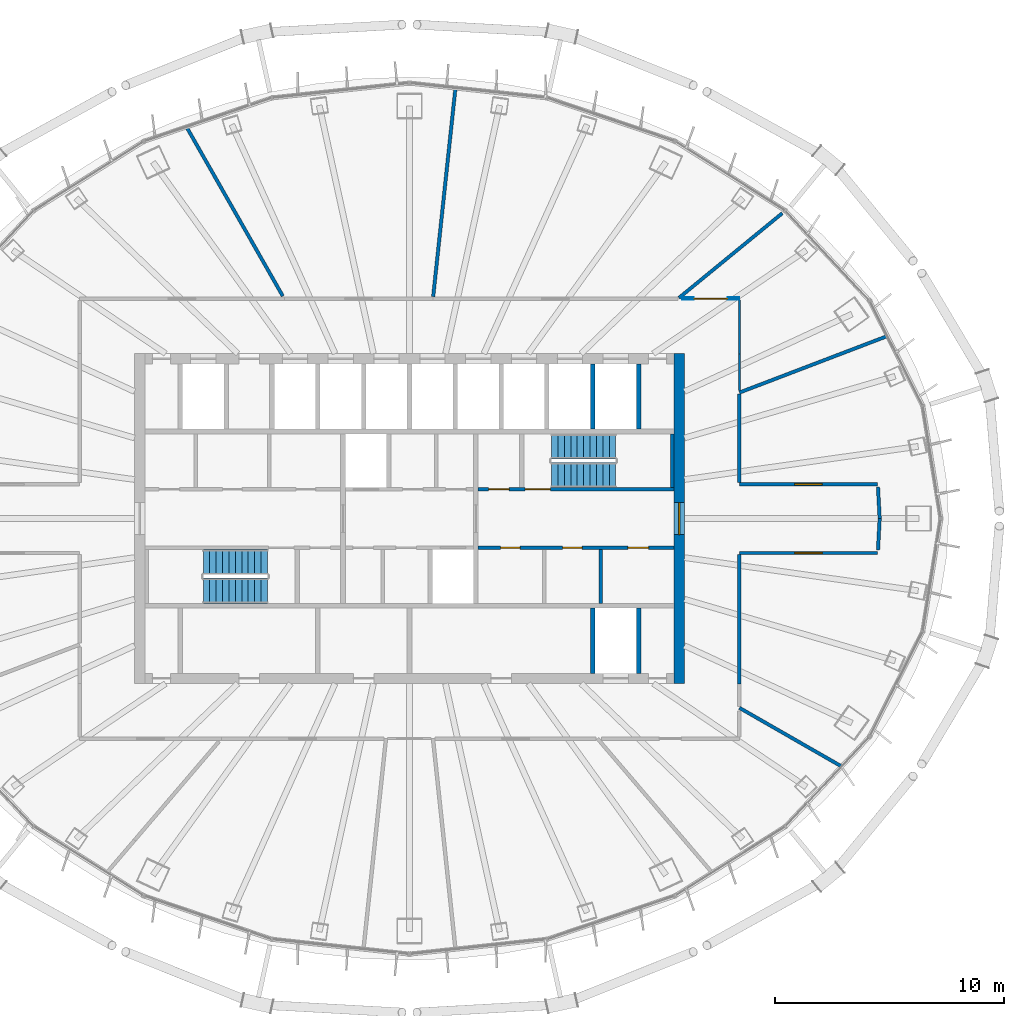
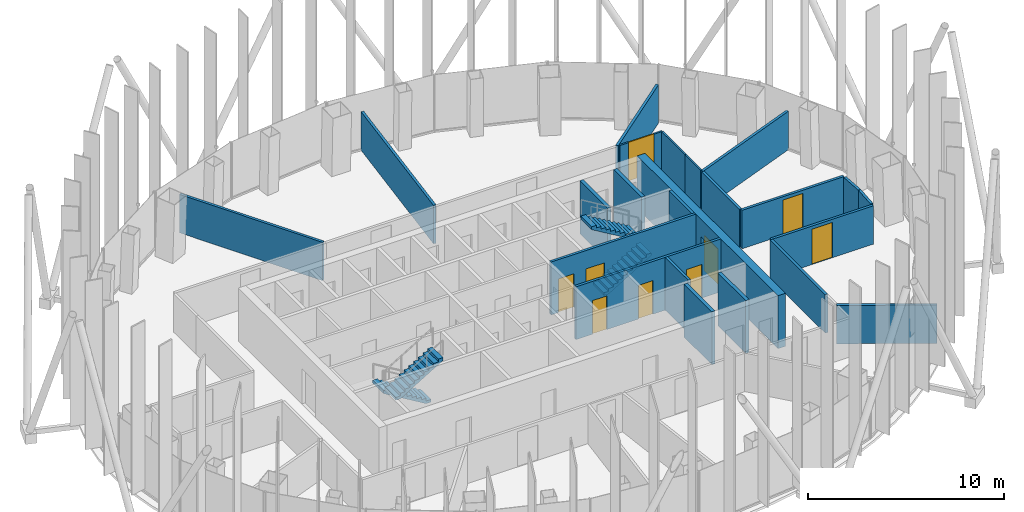
# One storey, part 12 of 19: 23 walls, 9 doors, 4 stair flights, 9 openings, 2 elements without a shape of their own.
"""IFC4 building model written with IfcOpenShell, lengths in metres."""

from ifc_helpers import new_model, si_unit, direction, frame, frame_2d, origin, place, context, subcontext, project, spatial, polyline, rectangle, outline, extrude, material, layer, layer_set, type_object, element, fill, aggregate, save


model = new_model("IFC4")

# Units and contexts
model_context = context("Model", 3, precision=1e-05, world=origin(), true_north=direction((0.0, 1.0)))
body_context = subcontext(model_context, "Body", "Model", "MODEL_VIEW")
ifc_project = project(units=[si_unit("LENGTHUNIT", "METRE"), si_unit("AREAUNIT", "SQUARE_METRE"), si_unit("VOLUMEUNIT", "CUBIC_METRE"), si_unit("PLANEANGLEUNIT", "RADIAN"), si_unit("MASSUNIT", "GRAM", prefix="KILO")], contexts=[model_context])

# Site, building, storey
site_placement = place(None, origin())
site = spatial("IfcSite", under=ifc_project, at=site_placement, CompositionType="ELEMENT")
building_placement = place(site_placement, origin())
building = spatial("IfcBuilding", under=site, at=building_placement, Name="Siaravel Broadcast Tower", CompositionType="ELEMENT")
storey_placement = place(building_placement, frame((0.0, 0.0, 179.300048828125)))
storey = spatial("IfcBuildingStorey", under=building, at=storey_placement, Name="L43", CompositionType="ELEMENT", Elevation=179.300048828125)

# Wall
ifc_material_1 = material(Name="Concrete blockwork", Category="masonry")
ifc_layer_1 = layer(ifc_material_1, 0.14990234375)
ifc_layer_set_1 = layer_set([ifc_layer_1], Name="Concrete blockwork")
wall_type_1 = type_object("IfcWallType", Name="Core partition 150", PredefinedType="PARTITIONING", material=ifc_layer_set_1)
wall_1_placement = place(storey_placement, frame((8.340087890625, -3.699951171875, 0.0), z_axis=(0.0, 0.0, 1.0), x_axis=(0.0, 1.0, 0.0)))
element("IfcWall", 1, at=wall_1_placement, inside=storey, type_object=wall_type_1, Name="L43 core partition PSE1", PredefinedType="PARTITIONING", context=body_context, shape_type="SweptSolid", body=[
    extrude(rectangle(XDim=2.349853515625, YDim=0.14990234375, at=frame_2d((1.1748046875, 0.0))), origin(), (0.0, 0.0, 1.0), 3.300048828125),
])

# Wall, opening, door
ifc_material_2 = material(Name="Concrete C60/75", Category="concrete")
ifc_layer_2 = layer(ifc_material_2, 0.449951171875)
ifc_layer_set_2 = layer_set([ifc_layer_2], Name="Concrete C60/75")
wall_type_2 = type_object("IfcWallType", Name="Core wall 450", PredefinedType="SHEAR", material=ifc_layer_set_2)
wall_2_placement = place(storey_placement, frame((11.77490234375, -7.199951171875, 0.0), z_axis=(0.0, 0.0, 1.0), x_axis=(0.0, 1.0, 0.0)))
wall_2 = element("IfcWall", 2, at=wall_2_placement, inside=storey, type_object=wall_type_2, Name="L43 core wall OE", PredefinedType="SHEAR", context=body_context, shape_type="SweptSolid", body=[
    extrude(rectangle(XDim=14.39990234375, YDim=0.449951171875, at=frame_2d((7.199951171875, 0.0))), origin(), (0.0, 0.0, 1.0), 3.300048828125),
])
opening_1_placement = place(wall_2_placement, frame((6.5, 0.0, 0.0)))
opening_1 = element("IfcOpeningElement", 3, at=opening_1_placement, cuts=wall_2, Name="Opening L43-DX-E", PredefinedType="OPENING", context=body_context, shape_type="SweptSolid", body=[
    extrude(rectangle(XDim=1.39990234375, YDim=2.199951171875, at=frame_2d((0.699951171875, 1.10009765625))), frame((0.0, 0.23486328125, 0.0), z_axis=(0.0, -1.0, 0.0), x_axis=(1.0, 0.0, 0.0)), (0.0, 0.0, 1.0), 0.469970703125),
])
ifc_material_3 = material(Name="Steel", Category="steel")
door_type_1 = type_object("IfcDoorType", Name="Core exit door 1400", OperationType="DOUBLE_DOOR_SINGLE_SWING", PredefinedType="DOOR", material=ifc_material_3)
door_1_placement = place(opening_1_placement, origin())
door_1 = element("IfcDoor", 4, at=door_1_placement, inside=storey, type_object=door_type_1, Name="L43 door DX-E", OperationType="DOUBLE_DOOR_SINGLE_SWING", OverallHeight=2.199951171875, OverallWidth=1.39990234375, PredefinedType="DOOR", context=body_context, shape_type="SweptSolid", body=[
    extrude(rectangle(XDim=1.39990234375, YDim=2.199951171875, at=frame_2d((0.699951171875, 1.10009765625))), frame((0.0, 0.02490234375, 0.0), z_axis=(0.0, -1.0, 0.0), x_axis=(1.0, 0.0, 0.0)), (0.0, 0.0, 1.0), 0.050048828125),
])
fill(opening_1, door_1)

# Wall, openings, doors
ifc_material_4 = material(Name="Gypsum board partition", Category="gypsum")
ifc_layer_3 = layer(ifc_material_4, 0.14990234375)
ifc_layer_set_3 = layer_set([ifc_layer_3], Name="Gypsum board partition")
wall_type_3 = type_object("IfcWallType", Name="Corridor wall 150", PredefinedType="PARTITIONING", material=ifc_layer_set_3)
wall_3_placement = place(storey_placement, frame((3.0, -1.27490234375, 0.0), z_axis=(0.0, 0.0, 1.0), x_axis=(1.0, 0.0, 0.0)))
wall_3 = element("IfcWall", 5, at=wall_3_placement, inside=storey, type_object=wall_type_3, Name="L43 core partition CSE", PredefinedType="PARTITIONING", context=body_context, shape_type="SweptSolid", body=[
    extrude(rectangle(XDim=8.550048828125, YDim=0.14990234375, at=frame_2d((4.27490234375, 0.0))), origin(), (0.0, 0.0, 1.0), 3.300048828125),
])
opening_2_placement = place(wall_3_placement, frame((0.9775390625, 0.0, 0.0)))
opening_2 = element("IfcOpeningElement", 6, at=opening_2_placement, cuts=wall_3, Name="Opening L43-DSE0", PredefinedType="OPENING", context=body_context, shape_type="SweptSolid", body=[
    extrude(rectangle(XDim=0.85009765625, YDim=2.10009765625, at=frame_2d((0.425048828125, 1.050048828125))), frame((0.0, 0.0849609375, 0.0), z_axis=(0.0, -1.0, 0.0), x_axis=(1.0, 0.0, 0.0)), (0.0, 0.0, 1.0), 0.169921875),
])
opening_3_placement = place(wall_3_placement, frame((3.68505859375, 0.0, 0.0)))
opening_3 = element("IfcOpeningElement", 7, at=opening_3_placement, cuts=wall_3, Name="Opening L43-DSE1", PredefinedType="OPENING", context=body_context, shape_type="SweptSolid", body=[
    extrude(rectangle(XDim=0.85009765625, YDim=2.10009765625, at=frame_2d((0.425048828125, 1.050048828125))), frame((0.0, 0.0849609375, 0.0), z_axis=(0.0, -1.0, 0.0), x_axis=(1.0, 0.0, 0.0)), (0.0, 0.0, 1.0), 0.169921875),
])
opening_4_placement = place(wall_3_placement, frame((6.532470703125, 0.0, 0.0)))
opening_4 = element("IfcOpeningElement", 8, at=opening_4_placement, cuts=wall_3, Name="Opening L43-DSE2", PredefinedType="OPENING", context=body_context, shape_type="SweptSolid", body=[
    extrude(rectangle(XDim=0.89990234375, YDim=2.10009765625, at=frame_2d((0.449951171875, 1.050048828125))), frame((0.0, 0.0849609375, 0.0), z_axis=(0.0, -1.0, 0.0), x_axis=(1.0, 0.0, 0.0)), (0.0, 0.0, 1.0), 0.169921875),
])
ifc_material_5 = material(Name="Timber veneer", Category="wood")
door_type_2 = type_object("IfcDoorType", Name="Core room door 900", OperationType="SINGLE_SWING_LEFT", PredefinedType="DOOR", material=ifc_material_5)
door_2_placement = place(opening_4_placement, origin())
door_2 = element("IfcDoor", 9, at=door_2_placement, inside=storey, type_object=door_type_2, Name="L43 door DSE2", OperationType="SINGLE_SWING_LEFT", OverallHeight=2.10009765625, OverallWidth=0.89990234375, PredefinedType="DOOR", context=body_context, shape_type="SweptSolid", body=[
    extrude(rectangle(XDim=0.89990234375, YDim=2.10009765625, at=frame_2d((0.449951171875, 1.050048828125))), frame((0.0, 0.02490234375, 0.0), z_axis=(0.0, -1.0, 0.0), x_axis=(1.0, 0.0, 0.0)), (0.0, 0.0, 1.0), 0.050048828125),
])
fill(opening_4, door_2)
door_type_3 = type_object("IfcDoorType", Name="Core toilet door 850", OperationType="SINGLE_SWING_LEFT", PredefinedType="DOOR", material=ifc_material_5)
door_3_placement = place(opening_2_placement, origin())
door_3 = element("IfcDoor", 10, at=door_3_placement, inside=storey, type_object=door_type_3, Name="L43 door DSE0", OperationType="SINGLE_SWING_LEFT", OverallHeight=2.10009765625, OverallWidth=0.85009765625, PredefinedType="DOOR", context=body_context, shape_type="SweptSolid", body=[
    extrude(rectangle(XDim=0.85009765625, YDim=2.10009765625, at=frame_2d((0.425048828125, 1.050048828125))), frame((0.0, 0.02490234375, 0.0), z_axis=(0.0, -1.0, 0.0), x_axis=(1.0, 0.0, 0.0)), (0.0, 0.0, 1.0), 0.050048828125),
])
fill(opening_2, door_3)
door_4_placement = place(opening_3_placement, origin())
door_4 = element("IfcDoor", 11, at=door_4_placement, inside=storey, type_object=door_type_3, Name="L43 door DSE1", OperationType="SINGLE_SWING_LEFT", OverallHeight=2.10009765625, OverallWidth=0.85009765625, PredefinedType="DOOR", context=body_context, shape_type="SweptSolid", body=[
    extrude(rectangle(XDim=0.85009765625, YDim=2.10009765625, at=frame_2d((0.425048828125, 1.050048828125))), frame((0.0, 0.02490234375, 0.0), z_axis=(0.0, -1.0, 0.0), x_axis=(1.0, 0.0, 0.0)), (0.0, 0.0, 1.0), 0.050048828125),
])
fill(opening_3, door_4)

# Wall, opening, door
wall_4_placement = place(storey_placement, frame((14.39990234375, -1.5, 0.0), z_axis=(0.0, 0.0, 1.0), x_axis=(1.0, 0.0, 0.0)))
wall_4 = element("IfcWall", 12, at=wall_4_placement, inside=storey, type_object=wall_type_3, Name="L43 partition 17", PredefinedType="PARTITIONING", context=body_context, shape_type="SweptSolid", body=[
    extrude(rectangle(XDim=6.027587890625, YDim=0.14990234375, at=frame_2d((3.013671875, 0.0))), origin(), (0.0, 0.0, 1.0), 2.39990234375),
])
opening_5_placement = place(wall_4_placement, frame((2.413818359375, 0.0, 0.0)))
opening_5 = element("IfcOpeningElement", 13, at=opening_5_placement, cuts=wall_4, Name="Opening L43-003", PredefinedType="OPENING", context=body_context, shape_type="SweptSolid", body=[
    extrude(rectangle(XDim=1.199951171875, YDim=2.199951171875, at=frame_2d((0.60009765625, 1.10009765625))), frame((0.0, 0.0849609375, 0.0), z_axis=(0.0, -1.0, 0.0), x_axis=(1.0, 0.0, 0.0)), (0.0, 0.0, 1.0), 0.169921875),
])
door_type_4 = type_object("IfcDoorType", Name="Office double door 1200", OperationType="DOUBLE_DOOR_SINGLE_SWING", PredefinedType="DOOR", material=ifc_material_5)
door_5_placement = place(opening_5_placement, origin())
door_5 = element("IfcDoor", 14, at=door_5_placement, inside=storey, type_object=door_type_4, Name="L43 door to Open plan office", OperationType="DOUBLE_DOOR_SINGLE_SWING", OverallHeight=2.199951171875, OverallWidth=1.199951171875, PredefinedType="DOOR", context=body_context, shape_type="SweptSolid", body=[
    extrude(rectangle(XDim=1.199951171875, YDim=2.199951171875, at=frame_2d((0.60009765625, 1.10009765625))), frame((0.0, 0.02490234375, 0.0), z_axis=(0.0, -1.0, 0.0), x_axis=(1.0, 0.0, 0.0)), (0.0, 0.0, 1.0), 0.050048828125),
])
fill(opening_5, door_5)

wall_5_placement = place(storey_placement, frame((20.427490234375, 1.5, 0.0), z_axis=(0.0, 0.0, 1.0), x_axis=(-1.0, 0.0, 0.0)))
wall_5 = element("IfcWall", 15, at=wall_5_placement, inside=storey, type_object=wall_type_3, Name="L43 partition 18", PredefinedType="PARTITIONING", context=body_context, shape_type="SweptSolid", body=[
    extrude(rectangle(XDim=6.027587890625, YDim=0.14990234375, at=frame_2d((3.013671875, 0.0))), origin(), (0.0, 0.0, 1.0), 2.39990234375),
])
opening_6_placement = place(wall_5_placement, frame((2.413818359375, 0.0, 0.0)))
opening_6 = element("IfcOpeningElement", 16, at=opening_6_placement, cuts=wall_5, Name="Opening L43-004", PredefinedType="OPENING", context=body_context, shape_type="SweptSolid", body=[
    extrude(rectangle(XDim=1.199951171875, YDim=2.199951171875, at=frame_2d((0.60009765625, 1.10009765625))), frame((0.0, 0.0849609375, 0.0), z_axis=(0.0, -1.0, 0.0), x_axis=(1.0, 0.0, 0.0)), (0.0, 0.0, 1.0), 0.169921875),
])
door_6_placement = place(opening_6_placement, origin())
door_6 = element("IfcDoor", 17, at=door_6_placement, inside=storey, type_object=door_type_4, Name="L43 door to Open plan office", OperationType="DOUBLE_DOOR_SINGLE_SWING", OverallHeight=2.199951171875, OverallWidth=1.199951171875, PredefinedType="DOOR", context=body_context, shape_type="SweptSolid", body=[
    extrude(rectangle(XDim=1.199951171875, YDim=2.199951171875, at=frame_2d((0.60009765625, 1.10009765625))), frame((0.0, 0.02490234375, 0.0), z_axis=(0.0, -1.0, 0.0), x_axis=(1.0, 0.0, 0.0)), (0.0, 0.0, 1.0), 0.050048828125),
])
fill(opening_6, door_6)

# Walls
wall_6_placement = place(storey_placement, frame((14.39990234375, -7.2119140625, 0.0), z_axis=(0.0, 0.0, 1.0), x_axis=(0.0, 1.0, 0.0)))
element("IfcWall", 18, at=wall_6_placement, inside=storey, type_object=wall_type_3, Name="L43 partition 22", PredefinedType="PARTITIONING", context=body_context, shape_type="SweptSolid", body=[
    extrude(rectangle(XDim=5.635009765625, YDim=0.14990234375, at=frame_2d((2.8173828125, 0.0))), origin(), (0.0, 0.0, 1.0), 2.39990234375),
])
wall_7_placement = place(storey_placement, frame((14.39990234375, 1.576904296875, 0.0), z_axis=(0.0, 0.0, 1.0), x_axis=(0.0, 1.0, 0.0)))
element("IfcWall", 19, at=wall_7_placement, inside=storey, type_object=wall_type_3, Name="L43 partition 25", PredefinedType="PARTITIONING", context=body_context, shape_type="SweptSolid", body=[
    extrude(rectangle(XDim=3.851318359375, YDim=0.14990234375, at=frame_2d((1.92578125, 0.0))), origin(), (0.0, 0.0, 1.0), 2.39990234375),
])
wall_8_placement = place(storey_placement, frame((20.44775390625, -1.373779296875, 0.0), z_axis=(0.0, 0.0, 1.0), x_axis=(0.053238767, 0.998581811, 0.0)))
element("IfcWall", 20, at=wall_8_placement, inside=storey, type_object=wall_type_3, Name="L43 partition 36", PredefinedType="PARTITIONING", context=body_context, shape_type="SweptSolid", body=[
    extrude(rectangle(XDim=1.375732421875, YDim=0.14990234375, at=frame_2d((0.68798828125, 0.0))), origin(), (0.0, 0.0, 1.0), 2.39990234375),
])
wall_9_placement = place(storey_placement, frame((20.5205078125, 0.010009765625, 0.0), z_axis=(0.0, 0.0, 1.0), x_axis=(-0.053271904, 0.998580044, 0.0)))
element("IfcWall", 21, at=wall_9_placement, inside=storey, type_object=wall_type_3, Name="L43 partition 37", PredefinedType="PARTITIONING", context=body_context, shape_type="SweptSolid", body=[
    extrude(rectangle(XDim=1.36572265625, YDim=0.14990234375, at=frame_2d((0.682861328125, 0.0))), origin(), (0.0, 0.0, 1.0), 2.39990234375),
])

# Wall, opening, door
ifc_material_6 = material(Name="Glazed aluminium partition", Category="aluminium")
ifc_layer_4 = layer(ifc_material_6, 0.10009765625)
ifc_layer_set_4 = layer_set([ifc_layer_4], Name="Glazed aluminium partition")
wall_type_4 = type_object("IfcWallType", Name="Glazed meeting room partition 100", PredefinedType="PARTITIONING", material=ifc_layer_set_4)
wall_10_placement = place(storey_placement, frame((14.39990234375, 9.60009765625, 0.0), z_axis=(0.0, 0.0, 1.0), x_axis=(-1.0, 0.0, 0.0)))
wall_10 = element("IfcWall", 22, at=wall_10_placement, inside=storey, type_object=wall_type_4, Name="L43 partition 26", PredefinedType="PARTITIONING", context=body_context, shape_type="SweptSolid", body=[
    extrude(rectangle(XDim=2.49853515625, YDim=0.10009765625, at=frame_2d((1.249267578125, 0.0))), origin(), (0.0, 0.0, 1.0), 2.39990234375),
])
opening_7_placement = place(wall_10_placement, frame((0.499267578125, 0.0, 0.0)))
opening_7 = element("IfcOpeningElement", 23, at=opening_7_placement, cuts=wall_10, Name="Opening L43-005", PredefinedType="OPENING", context=body_context, shape_type="SweptSolid", body=[
    extrude(rectangle(XDim=1.5, YDim=2.39990234375, at=frame_2d((0.75, 1.199951171875))), frame((0.0, 0.06005859375, 0.0), z_axis=(0.0, -1.0, 0.0), x_axis=(1.0, 0.0, 0.0)), (0.0, 0.0, 1.0), 0.1201171875),
])
door_type_5 = type_object("IfcDoorType", Name="Conference double door 1500", OperationType="DOUBLE_DOOR_SINGLE_SWING", PredefinedType="DOOR", material=ifc_material_5)
door_7_placement = place(opening_7_placement, origin())
door_7 = element("IfcDoor", 24, at=door_7_placement, inside=storey, type_object=door_type_5, Name="L43 door to Boardroom", OperationType="DOUBLE_DOOR_SINGLE_SWING", OverallHeight=2.39990234375, OverallWidth=1.5, PredefinedType="DOOR", context=body_context, shape_type="SweptSolid", body=[
    extrude(rectangle(XDim=1.5, YDim=2.39990234375, at=frame_2d((0.75, 1.199951171875))), frame((0.0, 0.02490234375, 0.0), z_axis=(0.0, -1.0, 0.0), x_axis=(1.0, 0.0, 0.0)), (0.0, 0.0, 1.0), 0.050048828125),
])
fill(opening_7, door_7)

# Walls
wall_11_placement = place(storey_placement, frame((14.39990234375, 7.18798828125, 0.0), z_axis=(0.0, 0.0, 1.0), x_axis=(0.0, 1.0, 0.0)))
element("IfcWall", 25, at=wall_11_placement, inside=storey, type_object=wall_type_4, Name="L43 partition 30", PredefinedType="PARTITIONING", context=body_context, shape_type="SweptSolid", body=[
    extrude(rectangle(XDim=2.360107421875, YDim=0.10009765625, at=frame_2d((1.18017578125, 0.0))), origin(), (0.0, 0.0, 1.0), 2.39990234375),
])
wall_12_placement = place(storey_placement, frame((14.39990234375, 5.6015625, 0.0), z_axis=(0.0, 0.0, 1.0), x_axis=(0.0, 1.0, 0.0)))
element("IfcWall", 26, at=wall_12_placement, inside=storey, type_object=wall_type_4, Name="L43 partition 34", PredefinedType="PARTITIONING", context=body_context, shape_type="SweptSolid", body=[
    extrude(rectangle(XDim=1.58544921875, YDim=0.10009765625, at=frame_2d((0.792724609375, 0.0))), origin(), (0.0, 0.0, 1.0), 2.39990234375),
])
ifc_layer_5 = layer(ifc_material_4, 0.14990234375)
ifc_layer_set_5 = layer_set([ifc_layer_5], Name="Gypsum board partition")
wall_type_5 = type_object("IfcWallType", Name="Room partition 150", PredefinedType="PARTITIONING", material=ifc_layer_set_5)
wall_13_placement = place(storey_placement, frame((2.00439453125, 18.76611328125, 0.0), z_axis=(0.0, 0.0, 1.0), x_axis=(-0.106208417, -0.99434389, 0.0)))
element("IfcWall", 27, at=wall_13_placement, inside=storey, type_object=wall_type_5, Name="L43 partition 4", PredefinedType="PARTITIONING", context=body_context, shape_type="SweptSolid", body=[
    extrude(rectangle(XDim=9.1328125, YDim=0.14990234375, at=frame_2d((4.56640625, 0.0))), origin(), (0.0, 0.0, 1.0), 2.39990234375),
])
wall_14_placement = place(storey_placement, frame((-9.7216796875, 17.076904296875, 0.0), z_axis=(0.0, 0.0, 1.0), x_axis=(0.494732537, -0.86904529, 0.0)))
element("IfcWall", 28, at=wall_14_placement, inside=storey, type_object=wall_type_5, Name="L43 partition 6", PredefinedType="PARTITIONING", context=body_context, shape_type="SweptSolid", body=[
    extrude(rectangle(XDim=8.47265625, YDim=0.14990234375, at=frame_2d((4.236328125, 0.0))), origin(), (0.0, 0.0, 1.0), 2.39990234375),
])
wall_15_placement = place(storey_placement, frame((20.86181640625, 7.968505859375, 0.0), z_axis=(0.0, 0.0, 1.0), x_axis=(-0.934170905, -0.356825897, 0.0)))
element("IfcWall", 29, at=wall_15_placement, inside=storey, type_object=wall_type_5, Name="L43 partition 11", PredefinedType="PARTITIONING", context=body_context, shape_type="SweptSolid", body=[
    extrude(rectangle(XDim=6.917236328125, YDim=0.14990234375, at=frame_2d((3.45849609375, 0.0))), origin(), (0.0, 0.0, 1.0), 2.39990234375),
])
wall_16_placement = place(storey_placement, frame((16.27001953125, 13.3271484375, 0.0), z_axis=(0.0, 0.0, 1.0), x_axis=(-0.773587881, -0.633689033, 0.0)))
element("IfcWall", 30, at=wall_16_placement, inside=storey, type_object=wall_type_5, Name="L43 partition 19", PredefinedType="PARTITIONING", context=body_context, shape_type="SweptSolid", body=[
    extrude(rectangle(XDim=5.832275390625, YDim=0.14990234375, at=frame_2d((2.916015625, 0.0))), origin(), (0.0, 0.0, 1.0), 2.39990234375),
])
wall_17_placement = place(storey_placement, frame((18.853759765625, -10.8134765625, 0.0), z_axis=(0.0, 0.0, 1.0), x_axis=(-0.867454914, 0.497515801, 0.0)))
element("IfcWall", 31, at=wall_17_placement, inside=storey, type_object=wall_type_5, Name="L43 partition 23", PredefinedType="PARTITIONING", context=body_context, shape_type="SweptSolid", body=[
    extrude(rectangle(XDim=5.13427734375, YDim=0.14990234375, at=frame_2d((2.567138671875, 0.0))), origin(), (0.0, 0.0, 1.0), 2.39990234375),
])

# Wall, openings, doors
ifc_layer_6 = layer(ifc_material_2, 0.14990234375)
ifc_layer_set_6 = layer_set([ifc_layer_6], Name="Concrete C60/75")
wall_type_6 = type_object("IfcWallType", Name="Shaft wall 150", PredefinedType="SHEAR", material=ifc_layer_set_6)
wall_18_placement = place(storey_placement, frame((3.0, 1.27490234375, 0.0), z_axis=(0.0, 0.0, 1.0), x_axis=(1.0, 0.0, 0.0)))
wall_18 = element("IfcWall", 32, at=wall_18_placement, inside=storey, type_object=wall_type_6, Name="L43 core wall CNE", PredefinedType="SHEAR", context=body_context, shape_type="SweptSolid", body=[
    extrude(rectangle(XDim=8.550048828125, YDim=0.14990234375, at=frame_2d((4.27490234375, 0.0))), origin(), (0.0, 0.0, 1.0), 3.300048828125),
])
opening_8_placement = place(wall_18_placement, frame((2.050048828125, 0.0, 0.0)))
opening_8 = element("IfcOpeningElement", 33, at=opening_8_placement, cuts=wall_18, Name="Opening L43-DS-2", PredefinedType="OPENING", context=body_context, shape_type="SweptSolid", body=[
    extrude(rectangle(XDim=1.10009765625, YDim=2.14990234375, at=frame_2d((0.550048828125, 1.074951171875))), frame((0.0, 0.0849609375, 0.0), z_axis=(0.0, -1.0, 0.0), x_axis=(1.0, 0.0, 0.0)), (0.0, 0.0, 1.0), 0.169921875),
])
opening_9_placement = place(wall_18_placement, frame((0.449951171875, 0.0, 0.0)))
opening_9 = element("IfcOpeningElement", 34, at=opening_9_placement, cuts=wall_18, Name="Opening L43-DNE0", PredefinedType="OPENING", context=body_context, shape_type="SweptSolid", body=[
    extrude(rectangle(XDim=0.89990234375, YDim=2.10009765625, at=frame_2d((0.449951171875, 1.050048828125))), frame((0.0, 0.0849609375, 0.0), z_axis=(0.0, -1.0, 0.0), x_axis=(1.0, 0.0, 0.0)), (0.0, 0.0, 1.0), 0.169921875),
])
door_8_placement = place(opening_9_placement, origin())
door_8 = element("IfcDoor", 35, at=door_8_placement, inside=storey, type_object=door_type_2, Name="L43 door DNE0", OperationType="SINGLE_SWING_LEFT", OverallHeight=2.10009765625, OverallWidth=0.89990234375, PredefinedType="DOOR", context=body_context, shape_type="SweptSolid", body=[
    extrude(rectangle(XDim=0.89990234375, YDim=2.10009765625, at=frame_2d((0.449951171875, 1.050048828125))), frame((0.0, 0.02490234375, 0.0), z_axis=(0.0, -1.0, 0.0), x_axis=(1.0, 0.0, 0.0)), (0.0, 0.0, 1.0), 0.050048828125),
])
fill(opening_9, door_8)
door_type_6 = type_object("IfcDoorType", Name="Stair door 1100", OperationType="SINGLE_SWING_LEFT", PredefinedType="DOOR", material=ifc_material_3)
door_9_placement = place(opening_8_placement, origin())
door_9 = element("IfcDoor", 36, at=door_9_placement, inside=storey, type_object=door_type_6, Name="L43 door DS-2", OperationType="SINGLE_SWING_LEFT", OverallHeight=2.14990234375, OverallWidth=1.10009765625, PredefinedType="DOOR", context=body_context, shape_type="SweptSolid", body=[
    extrude(rectangle(XDim=1.10009765625, YDim=2.14990234375, at=frame_2d((0.550048828125, 1.074951171875))), frame((0.0, 0.02490234375, 0.0), z_axis=(0.0, -1.0, 0.0), x_axis=(1.0, 0.0, 0.0)), (0.0, 0.0, 1.0), 0.050048828125),
])
fill(opening_8, door_9)

# Walls
wall_19_placement = place(storey_placement, frame((11.47509765625, 1.35009765625, 0.0), z_axis=(0.0, 0.0, 1.0), x_axis=(0.0, 1.0, 0.0)))
element("IfcWall", 37, at=wall_19_placement, inside=storey, type_object=wall_type_6, Name="L43 core wall ST2E", PredefinedType="SHEAR", context=body_context, shape_type="SweptSolid", body=[
    extrude(rectangle(XDim=2.349853515625, YDim=0.14990234375, at=frame_2d((1.1748046875, 0.0))), origin(), (0.0, 0.0, 1.0), 3.300048828125),
])
ifc_layer_7 = layer(ifc_material_2, 0.199951171875)
ifc_layer_set_7 = layer_set([ifc_layer_7], Name="Concrete C60/75")
wall_type_7 = type_object("IfcWallType", Name="Shaft wall 200", PredefinedType="SHEAR", material=ifc_layer_set_7)
for number, where, z_axis, x_axis, name in (
    (38, (8.0, -6.75, 0.0), (0.0, 0.0, 1.0), (0.0, 1.0, 0.0), "L43 core wall SWS9"),
    (39, (10.0, -6.75, 0.0), (0.0, 0.0, 1.0), (0.0, 1.0, 0.0), "L43 core wall SWS10"),
    (40, (8.0, 3.89990234375, 0.0), (0.0, 0.0, 1.0), (0.0, 1.0, 0.0), "L43 core wall SWN9"),
    (41, (10.0, 3.89990234375, 0.0), (0.0, 0.0, 1.0), (0.0, 1.0, 0.0), "L43 core wall SWN10"),
):
    element("IfcWall", number, at=place(storey_placement, frame(where, z_axis=z_axis, x_axis=x_axis)), inside=storey, type_object=wall_type_7, Name=name, PredefinedType="SHEAR", context=body_context, shape_type="SweptSolid", body=[
        extrude(rectangle(XDim=2.85009765625, YDim=0.199951171875, at=frame_2d((1.425048828125, 0.0))), origin(), (0.0, 0.0, 1.0), 3.300048828125),
    ])

# Stair, stair flights
ifc_material_7 = material(Name="Concrete C40/50", Category="concrete")
stair_type = type_object("IfcStairType", Name="Core exit stair", PredefinedType="HALF_TURN_STAIR", material=ifc_material_7)
stair_1_placement = place(storey_placement, origin())
stair_1 = element("IfcStair", 42, at=stair_1_placement, inside=storey, type_object=stair_type, Name="L43 Exit stair ST-1", PredefinedType="HALF_TURN_STAIR")
stair_flight_type = type_object("IfcStairFlightType", Name="Stair flight 1100", PredefinedType="STRAIGHT", material=ifc_material_7)
stair_flight_1_placement = place(storey_placement, frame((-6.199951171875, -1.89990234375, 0.0), z_axis=(0.0, 0.0, 1.0), x_axis=(-1.0, 0.0, 0.0)))
stair_flight_1 = element("IfcStairFlight", 43, at=stair_flight_1_placement, type_object=stair_flight_type, Name="ST-1 flight 1", NumberOfRisers=11, NumberOfTreads=10, PredefinedType="STRAIGHT", RiserHeight=0.1681818, TreadLength=0.28, context=body_context, shape_type="SweptSolid", body=[
    extrude(outline(polyline([(0.0, 0.0), (0.0, 0.168212890625), (0.280029296875, 0.168212890625), (0.280029296875, 0.33642578125), (0.56005859375, 0.33642578125), (0.56005859375, 0.504638671875), (0.840087890625, 0.504638671875), (0.840087890625, 0.672607421875), (1.1201171875, 0.672607421875), (1.1201171875, 0.8408203125), (1.39990234375, 0.8408203125), (1.39990234375, 1.009033203125), (1.679931640625, 1.009033203125), (1.679931640625, 1.17724609375), (1.9599609375, 1.17724609375), (1.9599609375, 1.345458984375), (2.239990234375, 1.345458984375), (2.239990234375, 1.513671875), (2.52001953125, 1.513671875), (2.52001953125, 1.681884765625), (2.800048828125, 1.681884765625), (2.800048828125, 1.85009765625), (2.800048828125, 1.5068359375), (0.291015625, 0.0), (0.0, 0.0)])), frame((0.0, 0.550048828125, 0.0), z_axis=(0.0, -1.0, 0.0), x_axis=(1.0, 0.0, 0.0)), (0.0, 0.0, 1.0), 1.10009765625),
])
stair_flight_2_placement = place(storey_placement, frame((-9.0, -3.14990234375, 1.849853515625), z_axis=(0.0, 0.0, 1.0), x_axis=(1.0, 0.0, 0.0)))
stair_flight_2 = element("IfcStairFlight", 44, at=stair_flight_2_placement, type_object=stair_flight_type, Name="ST-1 flight 2", NumberOfRisers=11, NumberOfTreads=10, PredefinedType="STRAIGHT", RiserHeight=0.1681818, TreadLength=0.28, context=body_context, shape_type="SweptSolid", body=[
    extrude(outline(polyline([(0.0, 0.0), (0.0, 0.168212890625), (0.280029296875, 0.168212890625), (0.280029296875, 0.33642578125), (0.56005859375, 0.33642578125), (0.56005859375, 0.504638671875), (0.840087890625, 0.504638671875), (0.840087890625, 0.672607421875), (1.1201171875, 0.672607421875), (1.1201171875, 0.8408203125), (1.39990234375, 0.8408203125), (1.39990234375, 1.009033203125), (1.679931640625, 1.009033203125), (1.679931640625, 1.17724609375), (1.9599609375, 1.17724609375), (1.9599609375, 1.345458984375), (2.239990234375, 1.345458984375), (2.239990234375, 1.513671875), (2.52001953125, 1.513671875), (2.52001953125, 1.681884765625), (2.800048828125, 1.681884765625), (2.800048828125, 1.85009765625), (2.800048828125, 1.5068359375), (0.291015625, 0.0), (0.0, 0.0)])), frame((0.0, 0.550048828125, 0.0), z_axis=(0.0, -1.0, 0.0), x_axis=(1.0, 0.0, 0.0)), (0.0, 0.0, 1.0), 1.10009765625),
])
aggregate(stair_1, [stair_flight_1, stair_flight_2])

stair_2_placement = place(storey_placement, origin())
stair_2 = element("IfcStair", 45, at=stair_2_placement, inside=storey, type_object=stair_type, Name="L43 Exit stair ST-2", PredefinedType="HALF_TURN_STAIR")
stair_flight_3_placement = place(storey_placement, frame((6.199951171875, 1.89990234375, 0.0), z_axis=(0.0, 0.0, 1.0), x_axis=(1.0, 0.0, 0.0)))
stair_flight_3 = element("IfcStairFlight", 46, at=stair_flight_3_placement, type_object=stair_flight_type, Name="ST-2 flight 1", NumberOfRisers=11, NumberOfTreads=10, PredefinedType="STRAIGHT", RiserHeight=0.1681818, TreadLength=0.28, context=body_context, shape_type="SweptSolid", body=[
    extrude(outline(polyline([(0.0, 0.0), (0.0, 0.168212890625), (0.280029296875, 0.168212890625), (0.280029296875, 0.33642578125), (0.56005859375, 0.33642578125), (0.56005859375, 0.504638671875), (0.840087890625, 0.504638671875), (0.840087890625, 0.672607421875), (1.1201171875, 0.672607421875), (1.1201171875, 0.8408203125), (1.39990234375, 0.8408203125), (1.39990234375, 1.009033203125), (1.679931640625, 1.009033203125), (1.679931640625, 1.17724609375), (1.9599609375, 1.17724609375), (1.9599609375, 1.345458984375), (2.239990234375, 1.345458984375), (2.239990234375, 1.513671875), (2.52001953125, 1.513671875), (2.52001953125, 1.681884765625), (2.800048828125, 1.681884765625), (2.800048828125, 1.85009765625), (2.800048828125, 1.5068359375), (0.291015625, 0.0), (0.0, 0.0)])), frame((0.0, 0.550048828125, 0.0), z_axis=(0.0, -1.0, 0.0), x_axis=(1.0, 0.0, 0.0)), (0.0, 0.0, 1.0), 1.10009765625),
])
stair_flight_4_placement = place(storey_placement, frame((9.0, 3.14990234375, 1.849853515625), z_axis=(0.0, 0.0, 1.0), x_axis=(-1.0, 0.0, 0.0)))
stair_flight_4 = element("IfcStairFlight", 47, at=stair_flight_4_placement, type_object=stair_flight_type, Name="ST-2 flight 2", NumberOfRisers=11, NumberOfTreads=10, PredefinedType="STRAIGHT", RiserHeight=0.1681818, TreadLength=0.28, context=body_context, shape_type="SweptSolid", body=[
    extrude(outline(polyline([(0.0, 0.0), (0.0, 0.168212890625), (0.280029296875, 0.168212890625), (0.280029296875, 0.33642578125), (0.56005859375, 0.33642578125), (0.56005859375, 0.504638671875), (0.840087890625, 0.504638671875), (0.840087890625, 0.672607421875), (1.1201171875, 0.672607421875), (1.1201171875, 0.8408203125), (1.39990234375, 0.8408203125), (1.39990234375, 1.009033203125), (1.679931640625, 1.009033203125), (1.679931640625, 1.17724609375), (1.9599609375, 1.17724609375), (1.9599609375, 1.345458984375), (2.239990234375, 1.345458984375), (2.239990234375, 1.513671875), (2.52001953125, 1.513671875), (2.52001953125, 1.681884765625), (2.800048828125, 1.681884765625), (2.800048828125, 1.85009765625), (2.800048828125, 1.5068359375), (0.291015625, 0.0), (0.0, 0.0)])), frame((0.0, 0.550048828125, 0.0), z_axis=(0.0, -1.0, 0.0), x_axis=(1.0, 0.0, 0.0)), (0.0, 0.0, 1.0), 1.10009765625),
])
aggregate(stair_2, [stair_flight_3, stair_flight_4])

save(model, "model.ifc")
